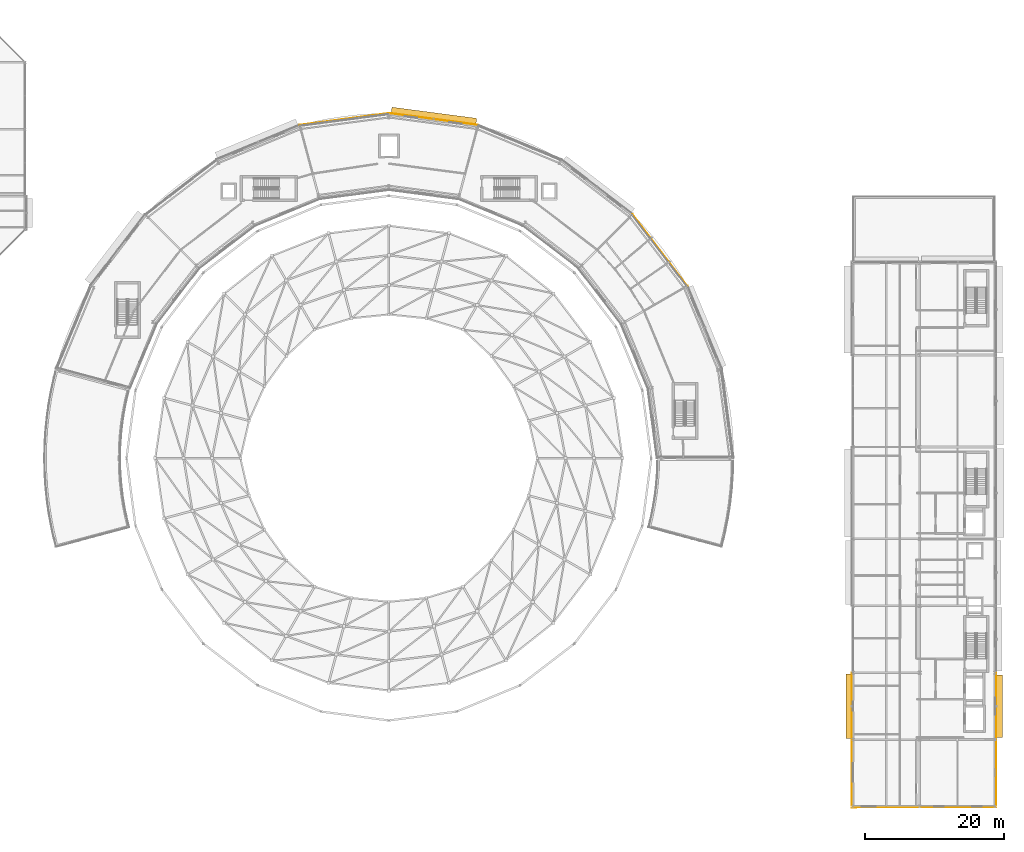
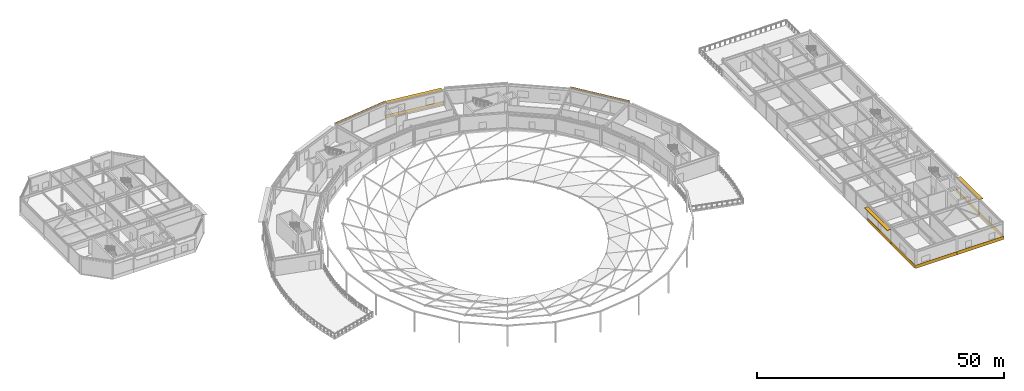
# One storey, part 85 of 89: 9 coverings, 3 shading devices.
"""IFC4 building model written with IfcOpenShell, lengths in metres."""

from ifc_helpers import new_model, si_unit, direction, frame, origin, origin_2d, place, context, subcontext, project, spatial, rectangle, extrude, material, layer, layer_set, type_object, element, save


model = new_model("IFC4")

# Units and contexts
model_context = context("Model", 3, precision=1e-05, world=origin(), true_north=direction((0.0, 1.0)))
body_context = subcontext(model_context, "Body", "Model", "MODEL_VIEW")
ifc_project = project(units=[si_unit("LENGTHUNIT", "METRE"), si_unit("AREAUNIT", "SQUARE_METRE"), si_unit("VOLUMEUNIT", "CUBIC_METRE"), si_unit("PLANEANGLEUNIT", "RADIAN"), si_unit("MASSUNIT", "GRAM", prefix="KILO")], contexts=[model_context])

# Site, building, storey
site_placement = place(None, origin())
site = spatial("IfcSite", under=ifc_project, at=site_placement, CompositionType="ELEMENT")
building_placement = place(site_placement, origin())
building = spatial("IfcBuilding", under=site, at=building_placement, Name="Almandine Court Research Institute", CompositionType="ELEMENT")
storey_placement = place(building_placement, frame((0.0, 0.0, 18.89990234375)))
storey = spatial("IfcBuildingStorey", under=building, at=storey_placement, Name="L04", CompositionType="ELEMENT", Elevation=18.89990234375)

# Coverings
ifc_material_1 = material(Name="Extruded Cream-Ochre Seismic Terracotta Spandrel", Category="masonry")
ifc_layer_1 = layer(ifc_material_1, 0.054931640625)
ifc_layer_set_1 = layer_set([ifc_layer_1], Name="Extruded Cream-Ochre Seismic Terracotta Spandrel")
covering_type = type_object("IfcCoveringType", Name="Cov-CLAD-TERR", PredefinedType="CLADDING", material=ifc_layer_set_1)
covering_1_placement = place(storey_placement, frame((153.428955078125, 10.873046875, 0.02001953125), z_axis=(0.0, 0.0, 1.0), x_axis=(0.0, 1.0, 0.0)))
element("IfcCovering", 1, at=covering_1_placement, inside=storey, type_object=covering_type, Name="L04 Facade Spandrel Cladding Band 170", PredefinedType="CLADDING", context=body_context, shape_type="SweptSolid", body=[
    extrude(rectangle(XDim=9.447021484375, YDim=0.054931640625, at=origin_2d()), origin(), (0.0, 0.0, 1.0), 0.800048828125),
])
for number, where, z_axis, x_axis, name in (
    (2, (153.428955078125, 20.39990234375, 0.02001953125), (0.0, 0.0, 1.0), (0.0, 1.0, 0.0), "L04 Facade Spandrel Cladding Band 171"),
    (3, (174.1708984375, 20.39990234375, 0.02001953125), (0.0, 0.0, 1.0), (0.0, -1.0, 0.0), "L04 Facade Spandrel Cladding Band 182"),
):
    element("IfcCovering", number, at=place(storey_placement, frame(where, z_axis=z_axis, x_axis=x_axis)), inside=storey, type_object=covering_type, Name=name, PredefinedType="CLADDING", context=body_context, shape_type="SweptSolid", body=[
        extrude(rectangle(XDim=9.592041015625, YDim=0.054931640625, at=origin_2d()), origin(), (0.0, 0.0, 1.0), 0.800048828125),
    ])
covering_2_placement = place(storey_placement, frame((174.1708984375, 10.873046875, 0.02001953125), z_axis=(0.0, 0.0, 1.0), x_axis=(0.0, -1.0, 0.0)))
element("IfcCovering", 4, at=covering_2_placement, inside=storey, type_object=covering_type, Name="L04 Facade Spandrel Cladding Band 183", PredefinedType="CLADDING", context=body_context, shape_type="SweptSolid", body=[
    extrude(rectangle(XDim=9.447021484375, YDim=0.054931640625, at=origin_2d()), origin(), (0.0, 0.0, 1.0), 0.800048828125),
])
covering_3_placement = place(storey_placement, frame((168.675048828125, 5.830078125, 0.02001953125), z_axis=(0.0, 0.0, 1.0), x_axis=(-1.0, 0.0, 0.0)))
element("IfcCovering", 5, at=covering_3_placement, inside=storey, type_object=covering_type, Name="L04 Facade Spandrel Cladding Band 184", PredefinedType="CLADDING", context=body_context, shape_type="SweptSolid", body=[
    extrude(rectangle(XDim=10.94091796875, YDim=0.054931640625, at=origin_2d()), origin(), (0.0, 0.0, 1.0), 0.800048828125),
])
covering_4_placement = place(storey_placement, frame((158.325927734375, 5.830078125, 0.02001953125), z_axis=(0.0, 0.0, 1.0), x_axis=(-1.0, 0.0, 0.0)))
element("IfcCovering", 6, at=covering_4_placement, inside=storey, type_object=covering_type, Name="L04 Facade Spandrel Cladding Band 185", PredefinedType="CLADDING", context=body_context, shape_type="SweptSolid", body=[
    extrude(rectangle(XDim=9.740966796875, YDim=0.054931640625, at=origin_2d()), origin(), (0.0, 0.0, 1.0), 0.800048828125),
])
covering_5_placement = place(storey_placement, frame((125.919921875, 85.864990234375, 3.920166015625), z_axis=(0.0, 0.0, 1.0), x_axis=(0.608761429009, -0.793353340291, 0.0)))
element("IfcCovering", 7, at=covering_5_placement, inside=storey, type_object=covering_type, Name="L04 Drum Stacked Terracotta Ring Band 02", PredefinedType="CLADDING", context=body_context, shape_type="SweptSolid", body=[
    extrude(rectangle(XDim=12.8779296875, YDim=0.054931640625, at=origin_2d()), origin(), (0.0, 0.0, 1.0), 0.419921875),
])
covering_6_placement = place(storey_placement, frame((93.406982421875, 104.6689453125, 0.02001953125), z_axis=(0.0, 0.0, 1.0), x_axis=(0.991444861374, -0.13052619222, 0.0)))
element("IfcCovering", 8, at=covering_6_placement, inside=storey, type_object=covering_type, Name="L04 Facade Spandrel Cladding Band 412", PredefinedType="CLADDING", context=body_context, shape_type="SweptSolid", body=[
    extrude(rectangle(XDim=12.867919921875, YDim=0.054931640625, at=origin_2d()), origin(), (0.0, 0.0, 1.0), 0.800048828125),
])
covering_7_placement = place(storey_placement, frame((80.595947265625, 104.638916015625, 3.920166015625), z_axis=(0.0, 0.0, 1.0), x_axis=(0.991444861374, 0.13052619222, 0.0)))
element("IfcCovering", 9, at=covering_7_placement, inside=storey, type_object=covering_type, Name="L04 Drum Stacked Terracotta Ring Band 06", PredefinedType="CLADDING", context=body_context, shape_type="SweptSolid", body=[
    extrude(rectangle(XDim=12.8779296875, YDim=0.054931640625, at=origin_2d()), origin(), (0.0, 0.0, 1.0), 0.419921875),
])

# Shading devices
ifc_material_2 = material(Name="Precast GFRC Chhajja Sunshade and Acoustic Louvre", Category="concrete")
ifc_layer_2 = layer(ifc_material_2, 0.080078125)
ifc_layer_set_2 = layer_set([ifc_layer_2], Name="Precast GFRC Chhajja Sunshade and Acoustic Louvre")
shading_device_type_1 = type_object("IfcShadingDeviceType", Name="Shd-SD-04", PredefinedType="AWNING", material=ifc_layer_set_2)
shading_device_1_placement = place(storey_placement, frame((153.0400390625, 20.39990234375, 3.613037109375), z_axis=(0.0, 0.0, 1.0), x_axis=(0.0, 1.0, 0.0)))
element("IfcShadingDevice", 10, at=shading_device_1_placement, inside=storey, type_object=shading_device_type_1, Name="L04 Projecting Chhajja Sunshade 116", PredefinedType="AWNING", context=body_context, shape_type="SweptSolid", body=[
    extrude(rectangle(XDim=9.241943359375, YDim=0.85009765625, at=origin_2d()), origin(), (0.0, 0.0, 1.0), 0.080078125),
])
ifc_layer_3 = layer(ifc_material_2, 0.080078125)
ifc_layer_set_3 = layer_set([ifc_layer_3], Name="Precast GFRC Chhajja Sunshade and Acoustic Louvre")
shading_device_type_2 = type_object("IfcShadingDeviceType", Name="Shd-SD-58", PredefinedType="AWNING", material=ifc_layer_set_3)
shading_device_2_placement = place(storey_placement, frame((174.610107421875, 20.39990234375, 3.60400390625), z_axis=(0.0, 0.0, 1.0), x_axis=(0.0, -1.0, 0.0)))
element("IfcShadingDevice", 11, at=shading_device_2_placement, inside=storey, type_object=shading_device_type_2, Name="L04 Projecting Chhajja Sunshade 127", PredefinedType="AWNING", context=body_context, shape_type="SweptSolid", body=[
    extrude(rectangle(XDim=9.001953125, YDim=0.949951171875, at=origin_2d()), origin(), (0.0, 0.0, 1.0), 0.080078125),
])
ifc_layer_4 = layer(ifc_material_2, 0.080078125)
ifc_layer_set_4 = layer_set([ifc_layer_4], Name="Precast GFRC Chhajja Sunshade and Acoustic Louvre")
shading_device_type_3 = type_object("IfcShadingDeviceType", Name="Shd-SD-90", PredefinedType="AWNING", material=ifc_layer_set_4)
shading_device_3_placement = place(storey_placement, frame((93.465087890625, 105.10400390625, 3.47412109375), z_axis=(0.0, 0.0, 1.0), x_axis=(0.991444861374, -0.13052619222, 0.0)))
element("IfcShadingDevice", 12, at=shading_device_3_placement, inside=storey, type_object=shading_device_type_3, Name="L04 Projecting Chhajja Sunshade 187", PredefinedType="AWNING", context=body_context, shape_type="SweptSolid", body=[
    extrude(rectangle(XDim=12.278076171875, YDim=0.949951171875, at=origin_2d()), origin(), (0.0, 0.0, 1.0), 0.080078125),
])

save(model, "model.ifc")
